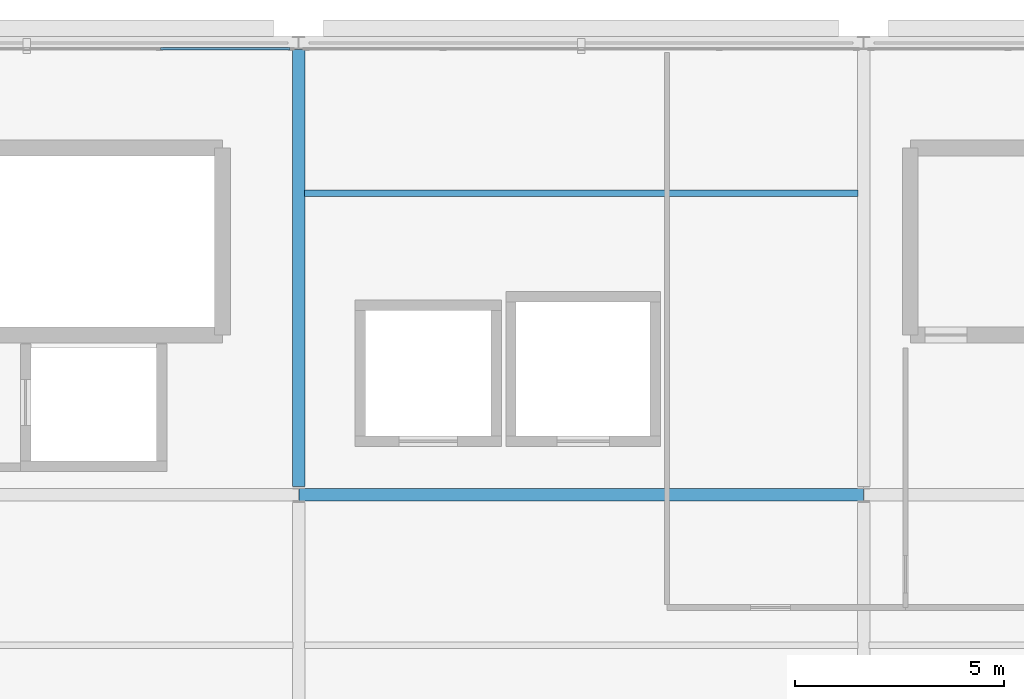
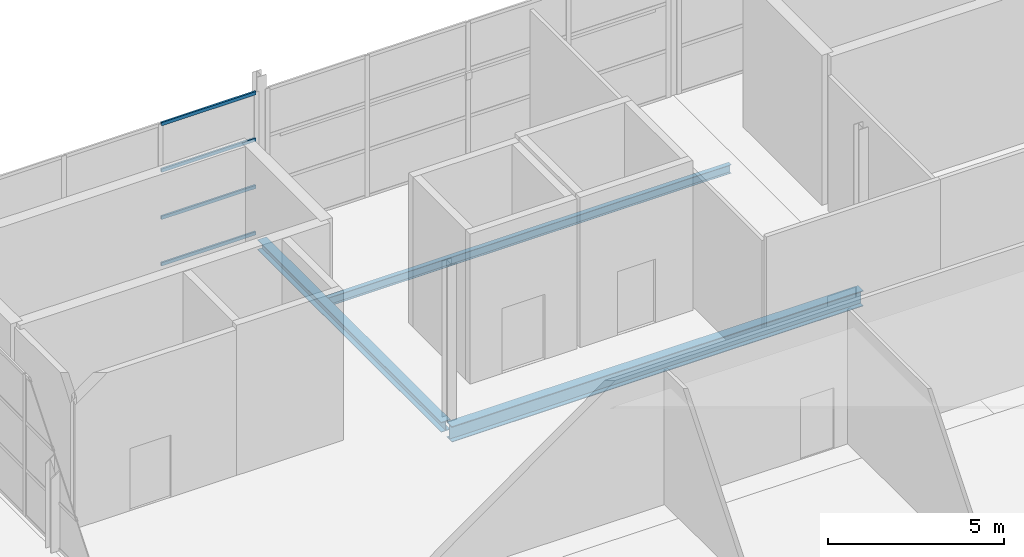
# One storey, part 21 of 34: 4 members, 3 beams, 1 element without a shape of its own.
"""IFC4 building model written with IfcOpenShell, lengths in metres."""

from ifc_helpers import new_model, si_unit, direction, frame, origin, origin_2d, place, context, subcontext, project, spatial, hollow_rectangle, i_section, extrude, material, layer, layer_set, material_profile, profile_set, type_object, element, aggregate, save


model = new_model("IFC4")

# Units and contexts
model_context = context("Model", 3, precision=1e-05, world=origin(), true_north=direction((0.0, 1.0)))
body_context = subcontext(model_context, "Body", "Model", "MODEL_VIEW")
ifc_project = project(units=[si_unit("LENGTHUNIT", "METRE"), si_unit("AREAUNIT", "SQUARE_METRE"), si_unit("VOLUMEUNIT", "CUBIC_METRE"), si_unit("PLANEANGLEUNIT", "RADIAN"), si_unit("MASSUNIT", "GRAM", prefix="KILO")], contexts=[model_context])

# Site, building, storey
site_placement = place(None, origin())
site = spatial("IfcSite", under=ifc_project, at=site_placement, CompositionType="ELEMENT")
building_placement = place(site_placement, origin())
building = spatial("IfcBuilding", under=site, at=building_placement, Name="Tamarisk Ironworks Central Station", CompositionType="ELEMENT")
storey_placement = place(building_placement, frame((0.0, 0.0, 25.199951171875)))
storey = spatial("IfcBuildingStorey", under=building, at=storey_placement, Name="L05", CompositionType="ELEMENT", Elevation=25.199951171875)

# Beams
ifc_material_1 = material(Name="Structural steel S355J2", Category="steel")
ifc_material_profile_1 = material_profile(ifc_material_1, i_section(OverallWidth=0.14990234375, OverallDepth=0.300048828125, WebThickness=0.007080078125, FlangeThickness=0.0107421875, at=origin_2d()), Name="IPE 300")
ifc_profile_set_1 = profile_set([ifc_material_profile_1], Name="Structural steel S355J2")
beam_type_1 = type_object("IfcBeamType", Name="BM-B07", PredefinedType="BEAM", material=ifc_profile_set_1)
beam_1_placement = place(storey_placement, frame((153.135009765625, 118.800048828125, -0.369873046875), z_axis=(1.0, 0.0, 0.0), x_axis=(0.0, 1.0, 0.0)))
element("IfcBeam", 1, at=beam_1_placement, inside=storey, type_object=beam_type_1, Name="L05 secondary composite beam 0274", PredefinedType="BEAM", context=body_context, shape_type="SweptSolid", body=[
    extrude(i_section(OverallWidth=0.14990234375, OverallDepth=0.300048828125, WebThickness=0.007080078125, FlangeThickness=0.0107421875, at=origin_2d()), origin(), (0.0, 0.0, 1.0), 13.22998046875),
])
ifc_material_profile_2 = material_profile(ifc_material_1, i_section(OverallWidth=0.300048828125, OverallDepth=0.5400390625, WebThickness=0.012451171875, FlangeThickness=0.02392578125, at=origin_2d()), Name="HEA 550")
ifc_profile_set_2 = profile_set([ifc_material_profile_2], Name="Structural steel S355J2")
beam_type_2 = type_object("IfcBeamType", Name="BM-G04", PredefinedType="BEAM", material=ifc_profile_set_2)
beam_2_placement = place(storey_placement, frame((153.00390625, 111.60009765625, -0.489990234375), z_axis=(1.0, 0.0, 0.0), x_axis=(0.0, 1.0, 0.0)))
element("IfcBeam", 2, at=beam_2_placement, inside=storey, type_object=beam_type_2, Name="L05 primary girder X-0763", PredefinedType="BEAM", context=body_context, shape_type="SweptSolid", body=[
    extrude(i_section(OverallWidth=0.300048828125, OverallDepth=0.5400390625, WebThickness=0.012451171875, FlangeThickness=0.02392578125, at=origin_2d()), origin(), (0.0, 0.0, 1.0), 13.4921875),
])
ifc_material_profile_3 = material_profile(ifc_material_1, i_section(OverallWidth=0.300048828125, OverallDepth=0.35009765625, WebThickness=0.010009765625, FlangeThickness=0.017578125, at=origin_2d()), Name="HEA 360")
ifc_profile_set_3 = profile_set([ifc_material_profile_3], Name="Structural steel S355J2")
beam_type_3 = type_object("IfcBeamType", Name="BM-G08", PredefinedType="BEAM", material=ifc_profile_set_3)
beam_3_placement = place(storey_placement, frame((153.0, 111.7880859375, -0.39501953125), z_axis=(0.0, 1.0, 0.0), x_axis=(-1.0, 0.0, 0.0)))
element("IfcBeam", 3, at=beam_3_placement, inside=storey, type_object=beam_type_3, Name="L05 primary girder Y-0778", PredefinedType="BEAM", context=body_context, shape_type="SweptSolid", body=[
    extrude(i_section(OverallWidth=0.300048828125, OverallDepth=0.35009765625, WebThickness=0.010009765625, FlangeThickness=0.017578125, at=origin_2d()), origin(), (0.0, 0.0, 1.0), 10.44384765625),
])

# Curtain wall, members
ifc_material_2 = material(Name="Anodized aluminium alloy 6063-T6", Category="aluminium")
ifc_layer = layer(ifc_material_2, 0.179931640625)
ifc_layer_set = layer_set([ifc_layer], Name="Anodized aluminium alloy 6063-T6")
curtain_wall_type = type_object("IfcCurtainWallType", Name="CW-20", PredefinedType="USERDEFINED", material=ifc_layer_set)
curtain_wall_placement = place(storey_placement, origin())
curtain_wall = element("IfcCurtainWall", 4, at=curtain_wall_placement, inside=storey, type_object=curtain_wall_type, Name="Operations L05 north facade curtain wall 140", ObjectType="GLAZED CURTAIN WALL", PredefinedType="USERDEFINED")
ifc_material_profile_4 = material_profile(ifc_material_2, hollow_rectangle(XDim=0.06005859375, YDim=0.114990234375, WallThickness=0.00341796875, at=origin_2d()), Name="ALUM 115x60")
ifc_profile_set_4 = profile_set([ifc_material_profile_4], Name="Anodized aluminium alloy 6063-T6")
member_type = type_object("IfcMemberType", Name="CWT-03", PredefinedType="USERDEFINED", material=ifc_profile_set_4)
member_1_placement = place(storey_placement, frame((149.701904296875, 122.25, 0.030029296875), z_axis=(1.0, 0.0, 0.0), x_axis=(0.0, 1.0, 0.0)))
member_1 = element("IfcMember", 5, at=member_1_placement, type_object=member_type, Name="CW20 transom 4.1", ObjectType="TRANSOM", PredefinedType="USERDEFINED", context=body_context, shape_type="SweptSolid", body=[
    extrude(hollow_rectangle(XDim=0.06005859375, YDim=0.114990234375, WallThickness=0.00341796875, at=origin_2d()), origin(), (0.0, 0.0, 1.0), 3.093994140625),
])
member_2_placement = place(storey_placement, frame((149.701904296875, 122.25, 1.64013671875), z_axis=(1.0, 0.0, 0.0), x_axis=(0.0, 1.0, 0.0)))
member_2 = element("IfcMember", 6, at=member_2_placement, type_object=member_type, Name="CW20 transom 4.2", ObjectType="TRANSOM", PredefinedType="USERDEFINED", context=body_context, shape_type="SweptSolid", body=[
    extrude(hollow_rectangle(XDim=0.06005859375, YDim=0.114990234375, WallThickness=0.00341796875, at=origin_2d()), origin(), (0.0, 0.0, 1.0), 3.093994140625),
])
member_3_placement = place(storey_placement, frame((149.701904296875, 122.25, 3.280029296875), z_axis=(1.0, 0.0, 0.0), x_axis=(0.0, 1.0, 0.0)))
member_3 = element("IfcMember", 7, at=member_3_placement, type_object=member_type, Name="CW20 transom 4.3", ObjectType="TRANSOM", PredefinedType="USERDEFINED", context=body_context, shape_type="SweptSolid", body=[
    extrude(hollow_rectangle(XDim=0.06005859375, YDim=0.114990234375, WallThickness=0.00341796875, at=origin_2d()), origin(), (0.0, 0.0, 1.0), 3.093994140625),
])
member_4_placement = place(storey_placement, frame((149.701904296875, 122.25, 4.89013671875), z_axis=(1.0, 0.0, 0.0), x_axis=(0.0, 1.0, 0.0)))
member_4 = element("IfcMember", 8, at=member_4_placement, type_object=member_type, Name="CW20 transom 4.4", ObjectType="TRANSOM", PredefinedType="USERDEFINED", context=body_context, shape_type="SweptSolid", body=[
    extrude(hollow_rectangle(XDim=0.06005859375, YDim=0.114990234375, WallThickness=0.00341796875, at=origin_2d()), origin(), (0.0, 0.0, 1.0), 3.093994140625),
])
aggregate(curtain_wall, [member_1, member_2, member_3, member_4])

save(model, "model.ifc")
